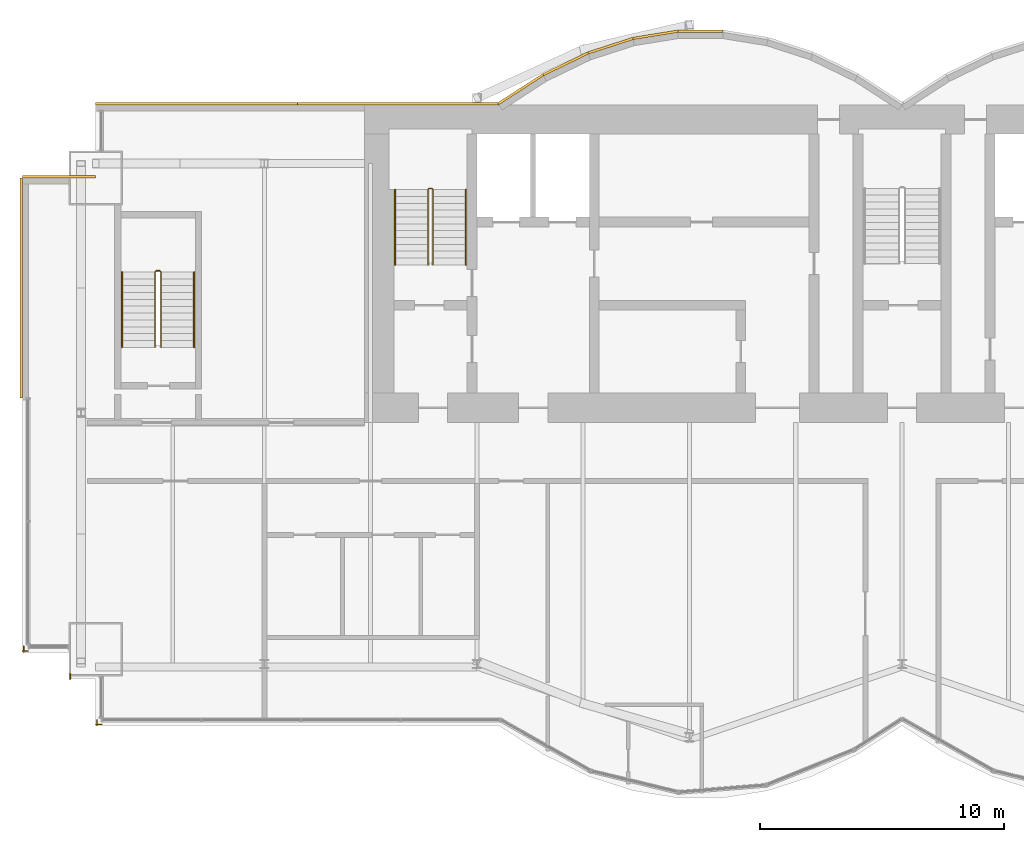
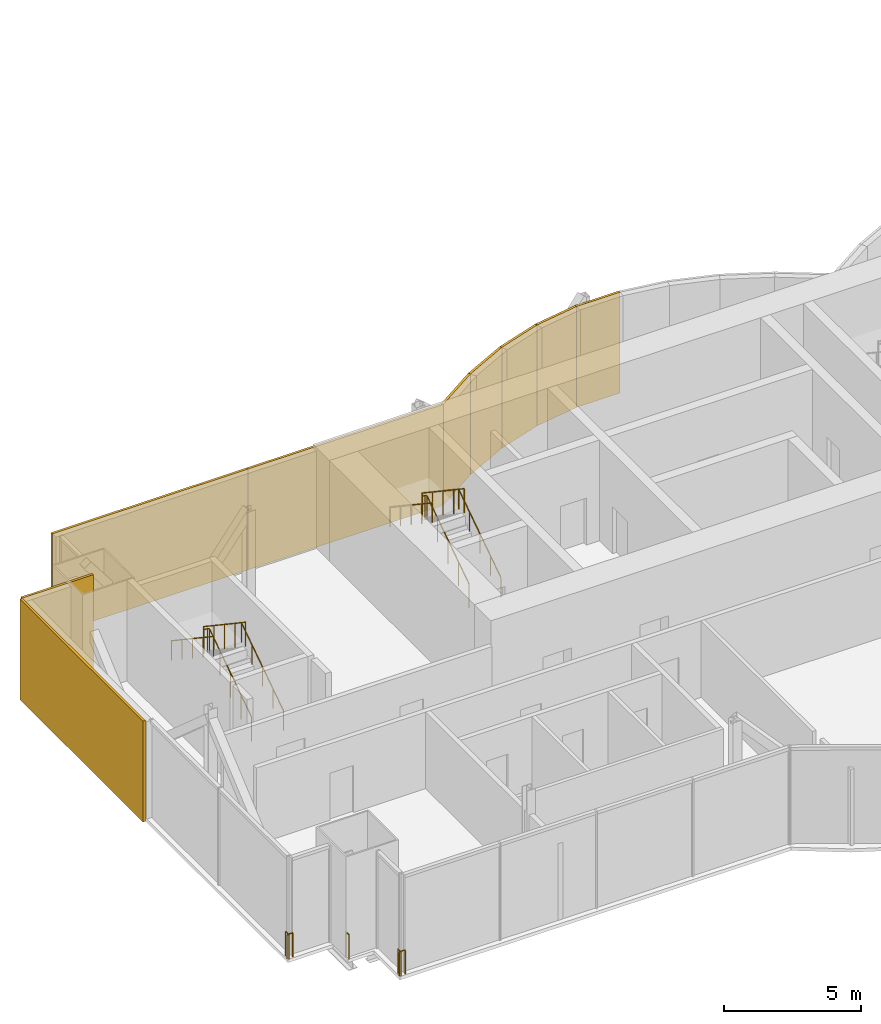
# One storey, part 14 of 16: 9 coverings, 9 railings.
"""IFC4 building model written with IfcOpenShell, lengths in metres."""

from ifc_helpers import new_model, si_unit, direction, frame, origin, origin_2d, place, context, subcontext, project, spatial, rectangle, circle, extrude, material, layer, layer_set, type_object, element, save


model = new_model("IFC4")

# Units and contexts
model_context = context("Model", 3, precision=1e-05, world=origin(), true_north=direction((0.0, 1.0)))
body_context = subcontext(model_context, "Body", "Model", "MODEL_VIEW")
ifc_project = project(units=[si_unit("LENGTHUNIT", "METRE"), si_unit("AREAUNIT", "SQUARE_METRE"), si_unit("VOLUMEUNIT", "CUBIC_METRE"), si_unit("PLANEANGLEUNIT", "RADIAN"), si_unit("MASSUNIT", "GRAM", prefix="KILO")], contexts=[model_context])

# Site, building, storey
site_placement = place(None, origin())
site = spatial("IfcSite", under=ifc_project, at=site_placement, CompositionType="ELEMENT")
building_placement = place(site_placement, origin())
building = spatial("IfcBuilding", under=site, at=building_placement, Name="Bicima Exchange Tower", CompositionType="ELEMENT")
storey_placement = place(building_placement, frame((0.0, 0.0, 329.0)))
storey = spatial("IfcBuildingStorey", under=building, at=storey_placement, Name="L74", CompositionType="ELEMENT", Elevation=329.0)

# Coverings
ifc_material_1 = material(Name="Bronze metal cladding")
ifc_layer_1 = layer(ifc_material_1, 0.004)
ifc_material_2 = material(Name="Ventilated cavity")
ifc_layer_2 = layer(ifc_material_2, 0.06)
ifc_material_3 = material(Name="Galvanised steel rail and mineral wool", Category="steel")
ifc_layer_3 = layer(ifc_material_3, 0.036)
ifc_layer_set = layer_set([ifc_layer_1, ifc_layer_2, ifc_layer_3], Name="Ventilated cavity")
covering_type = type_object("IfcCoveringType", Name="Bronze metal cladding panel 100", PredefinedType="CLADDING", material=ifc_layer_set)
covering_1_placement = place(storey_placement, frame((-8.25, 3.012939453125, -0.14990234375), z_axis=(0.0, 0.0, 1.0), x_axis=(-1.0, 0.0, 0.0)))
element("IfcCovering", 1, at=covering_1_placement, inside=storey, type_object=covering_type, Name="Bronze cladding L74 15.1", PredefinedType="CLADDING", context=body_context, shape_type="SweptSolid", body=[
    extrude(rectangle(XDim=1.83349609375, YDim=0.10009765625, at=origin_2d()), origin(), (0.0, 0.0, 1.0), 4.5),
])
covering_2_placement = place(storey_placement, frame((-10.09130859375, 2.8642578125, -0.14990234375), z_axis=(0.0, 0.0, 1.0), x_axis=(-0.987189786347, -0.159550386184, 0.0)))
element("IfcCovering", 2, at=covering_2_placement, inside=storey, type_object=covering_type, Name="Bronze cladding L74 16.1", PredefinedType="CLADDING", context=body_context, shape_type="SweptSolid", body=[
    extrude(rectangle(XDim=1.857177734375, YDim=0.10009765625, at=origin_2d()), origin(), (0.0, 0.0, 1.0), 4.5),
])
covering_3_placement = place(storey_placement, frame((-11.931884765625, 2.41796875, -0.14990234375), z_axis=(0.0, 0.0, 1.0), x_axis=(-0.951524642381, -0.307572519808, 0.0)))
element("IfcCovering", 3, at=covering_3_placement, inside=storey, type_object=covering_type, Name="Bronze cladding L74 17.1", PredefinedType="CLADDING", context=body_context, shape_type="SweptSolid", body=[
    extrude(rectangle(XDim=1.9267578125, YDim=0.10009765625, at=origin_2d()), origin(), (0.0, 0.0, 1.0), 4.5),
])
covering_4_placement = place(storey_placement, frame((-13.771728515625, 1.674560546875, -0.14990234375), z_axis=(0.0, 0.0, 1.0), x_axis=(-0.899818346812, -0.436264762204, 0.0)))
element("IfcCovering", 4, at=covering_4_placement, inside=storey, type_object=covering_type, Name="Bronze cladding L74 18.1", PredefinedType="CLADDING", context=body_context, shape_type="SweptSolid", body=[
    extrude(rectangle(XDim=2.03759765625, YDim=0.10009765625, at=origin_2d()), origin(), (0.0, 0.0, 1.0), 4.5),
])
covering_5_placement = place(storey_placement, frame((-15.610595703125, 0.634521484375, -0.14990234375), z_axis=(0.0, 0.0, 1.0), x_axis=(-0.839790466384, -0.542910648791, 0.0)))
element("IfcCovering", 5, at=covering_5_placement, inside=storey, type_object=covering_type, Name="Bronze cladding L74 19.1", PredefinedType="CLADDING", context=body_context, shape_type="SweptSolid", body=[
    extrude(rectangle(XDim=2.18310546875, YDim=0.10009765625, at=origin_2d()), origin(), (0.0, 0.0, 1.0), 4.5),
])
for number, where, z_axis, x_axis, name in (
    (6, (-20.625, 0.050048828125, -0.14990234375), (0.0, 0.0, 1.0), (-1.0, 0.0, 0.0), "Bronze cladding L74 20.1"),
    (7, (-28.875, 0.050048828125, -0.14990234375), (0.0, 0.0, 1.0), (-1.0, 0.0, 0.0), "Bronze cladding L74 20.2"),
):
    element("IfcCovering", number, at=place(storey_placement, frame(where, z_axis=z_axis, x_axis=x_axis)), inside=storey, type_object=covering_type, Name=name, PredefinedType="CLADDING", context=body_context, shape_type="SweptSolid", body=[
        extrude(rectangle(XDim=8.25, YDim=0.10009765625, at=origin_2d()), origin(), (0.0, 0.0, 1.0), 4.5),
    ])
covering_6_placement = place(storey_placement, frame((-34.5, -2.949951171875, -0.14990234375), z_axis=(0.0, 0.0, 1.0), x_axis=(-1.0, 0.0, 0.0)))
element("IfcCovering", 8, at=covering_6_placement, inside=storey, type_object=covering_type, Name="Bronze cladding L74 22.1", PredefinedType="CLADDING", context=body_context, shape_type="SweptSolid", body=[
    extrude(rectangle(XDim=3.0, YDim=0.10009765625, at=origin_2d()), origin(), (0.0, 0.0, 1.0), 4.5),
])
covering_7_placement = place(storey_placement, frame((-36.050048828125, -7.5, -0.14990234375), z_axis=(0.0, 0.0, 1.0), x_axis=(0.0, -1.0, 0.0)))
element("IfcCovering", 9, at=covering_7_placement, inside=storey, type_object=covering_type, Name="Bronze cladding L74 23.1", PredefinedType="CLADDING", context=body_context, shape_type="SweptSolid", body=[
    extrude(rectangle(XDim=9.0, YDim=0.10009765625, at=origin_2d()), origin(), (0.0, 0.0, 1.0), 4.5),
])

# Railings
ifc_material_4 = material(Name="Stainless steel and bonded safety glass", Category="steel")
railing_type_1 = type_object("IfcRailingType", Name="Edge guard 1100", PredefinedType="GUARDRAIL", material=ifc_material_4)
railing_1_placement = place(storey_placement, frame((-35.762939453125, -22.35791015625, 0.0)))
element("IfcRailing", 10, at=railing_1_placement, inside=storey, type_object=railing_type_1, Name="Edge guard L74 385", PredefinedType="GUARDRAIL", context=body_context, shape_type="SweptSolid", body=[
    extrude(circle(Radius=0.02392578125, at=origin_2d()), frame((0.0, 0.0, 1.076171875), z_axis=(-1.0, 0.0, 0.0), x_axis=(0.0, -1.0, 0.0)), (0.0, 0.0, 1.0), 0.237060546875),
    extrude(circle(Radius=0.02392578125, at=origin_2d()), frame((-0.237060546875, 0.0, 1.076171875), z_axis=(0.707106781187, -0.707106781187, 0.0), x_axis=(0.707106781187, 0.707106781187, 0.0)), (0.0, 0.0, 1.0), 0.07080078125),
    extrude(circle(Radius=0.02392578125, at=origin_2d()), frame((-0.18701171875, -0.050048828125, 1.076171875), z_axis=(0.0, 1.0, 0.0), x_axis=(-1.0, 0.0, 0.0)), (0.0, 0.0, 1.0), 0.2490234375),
    extrude(circle(Radius=0.02099609375, at=origin_2d()), origin(), (0.0, 0.0, 1.0), 1.052001953125),
    extrude(circle(Radius=0.02099609375, at=origin_2d()), frame((-0.237060546875, 0.0, 0.0)), (0.0, 0.0, 1.0), 1.052001953125),
    extrude(circle(Radius=0.02099609375, at=origin_2d()), frame((-0.18701171875, -0.050048828125, 0.0)), (0.0, 0.0, 1.0), 1.052001953125),
    extrude(circle(Radius=0.02099609375, at=origin_2d()), frame((-0.18701171875, 0.198974609375, 0.0)), (0.0, 0.0, 1.0), 1.052001953125),
])
railing_2_placement = place(storey_placement, frame((-32.75, -25.35791015625, 0.0)))
element("IfcRailing", 11, at=railing_2_placement, inside=storey, type_object=railing_type_1, Name="Edge guard L74 389", PredefinedType="GUARDRAIL", context=body_context, shape_type="SweptSolid", body=[
    extrude(circle(Radius=0.02392578125, at=origin_2d()), frame((0.0, 0.0, 1.076171875), z_axis=(-1.0, 0.0, 0.0), x_axis=(0.0, -1.0, 0.0)), (0.0, 0.0, 1.0), 0.25),
    extrude(circle(Radius=0.02392578125, at=origin_2d()), frame((-0.25, 0.0, 1.076171875), z_axis=(0.707106781187, -0.707106781187, 0.0), x_axis=(0.707106781187, 0.707106781187, 0.0)), (0.0, 0.0, 1.0), 0.07080078125),
    extrude(circle(Radius=0.02392578125, at=origin_2d()), frame((-0.199951171875, -0.050048828125, 1.076171875), z_axis=(0.0, 1.0, 0.0), x_axis=(-1.0, 0.0, 0.0)), (0.0, 0.0, 1.0), 0.237060546875),
    extrude(circle(Radius=0.02099609375, at=origin_2d()), origin(), (0.0, 0.0, 1.0), 1.052001953125),
    extrude(circle(Radius=0.02099609375, at=origin_2d()), frame((-0.25, 0.0, 0.0)), (0.0, 0.0, 1.0), 1.052001953125),
    extrude(circle(Radius=0.02099609375, at=origin_2d()), frame((-0.199951171875, -0.050048828125, 0.0)), (0.0, 0.0, 1.0), 1.052001953125),
    extrude(circle(Radius=0.02099609375, at=origin_2d()), frame((-0.199951171875, 0.18701171875, 0.0)), (0.0, 0.0, 1.0), 1.052001953125),
])
railing_3_placement = place(storey_placement, frame((-34.050048828125, -23.508056640625, 0.0)))
element("IfcRailing", 12, at=railing_3_placement, inside=storey, type_object=railing_type_1, Name="Edge guard L74 390", PredefinedType="GUARDRAIL", context=body_context, shape_type="SweptSolid", body=[
    extrude(circle(Radius=0.02392578125, at=origin_2d()), frame((0.0, 0.0, 1.076171875), z_axis=(0.0, 1.0, 0.0), x_axis=(-1.0, 0.0, 0.0)), (0.0, 0.0, 1.0), 0.219970703125),
    extrude(circle(Radius=0.02099609375, at=origin_2d()), origin(), (0.0, 0.0, 1.0), 1.052001953125),
    extrude(circle(Radius=0.02099609375, at=origin_2d()), frame((0.0, 0.219970703125, 0.0)), (0.0, 0.0, 1.0), 1.052001953125),
])
ifc_material_5 = material(Name="Stainless steel", Category="steel")
railing_type_2 = type_object("IfcRailingType", Name="Stair guard 1100", PredefinedType="GUARDRAIL", material=ifc_material_5)
railing_4_placement = place(storey_placement, frame((-19.199951171875, -6.550048828125, 0.1875)))
element("IfcRailing", 13, at=railing_4_placement, inside=storey, type_object=railing_type_2, Name="L74 ST-W stair guard 1", PredefinedType="GUARDRAIL", context=body_context, shape_type="SweptSolid", body=[
    extrude(circle(Radius=0.02392578125, at=origin_2d()), frame((0.0, 0.0, 1.076171875), z_axis=(0.0, 0.830913701846, 0.55640131208), x_axis=(-1.0, 0.0, 0.0)), (0.0, 0.0, 1.0), 3.706787109375),
    extrude(circle(Radius=0.02392578125, at=origin_2d()), frame((0.0, 3.080078125, 3.138671875), z_axis=(-0.707106781187, 0.707106781187, 0.0), x_axis=(-0.707106781187, -0.707106781187, 0.0)), (0.0, 0.0, 1.0), 0.07080078125),
    extrude(circle(Radius=0.02392578125, at=origin_2d()), frame((-0.050048828125, 3.130126953125, 3.138671875), z_axis=(-1.0, 0.0, 0.0), x_axis=(0.0, -1.0, 0.0)), (0.0, 0.0, 1.0), 0.10009765625),
    extrude(circle(Radius=0.02392578125, at=origin_2d()), frame((-0.150146484375, 3.130126953125, 3.138671875), z_axis=(-0.248583702486, -0.249802250048, 0.935844527007), x_axis=(0.708833529934, -0.705375805398, 0.0)), (0.0, 0.0, 1.0), 0.200439453125),
    extrude(circle(Radius=0.02392578125, at=origin_2d()), frame((-0.199951171875, 3.080078125, 3.326171875), z_axis=(0.0, -0.830913701846, 0.55640131208), x_axis=(1.0, 0.0, 0.0)), (0.0, 0.0, 1.0), 3.706787109375),
    extrude(circle(Radius=0.02099609375, at=origin_2d()), origin(), (0.0, 0.0, 1.0), 1.052001953125),
    extrude(circle(Radius=0.02099609375, at=origin_2d()), frame((0.0, 0.77001953125, 0.515625)), (0.0, 0.0, 1.0), 1.052001953125),
    extrude(circle(Radius=0.02099609375, at=origin_2d()), frame((0.0, 1.5400390625, 1.03125)), (0.0, 0.0, 1.0), 1.052001953125),
    extrude(circle(Radius=0.02099609375, at=origin_2d()), frame((0.0, 2.31005859375, 1.546875)), (0.0, 0.0, 1.0), 1.052001953125),
    extrude(circle(Radius=0.02099609375, at=origin_2d()), frame((0.0, 3.080078125, 2.0625)), (0.0, 0.0, 1.0), 1.052001953125),
    extrude(circle(Radius=0.02099609375, at=origin_2d()), frame((-0.050048828125, 3.130126953125, 2.0625)), (0.0, 0.0, 1.0), 1.052001953125),
    extrude(circle(Radius=0.02099609375, at=origin_2d()), frame((-0.150146484375, 3.130126953125, 2.0625)), (0.0, 0.0, 1.0), 1.052001953125),
    extrude(circle(Radius=0.02099609375, at=origin_2d()), frame((-0.199951171875, 3.080078125, 2.25)), (0.0, 0.0, 1.0), 1.052001953125),
    extrude(circle(Radius=0.02099609375, at=origin_2d()), frame((-0.199951171875, 2.31005859375, 2.765625)), (0.0, 0.0, 1.0), 1.052001953125),
    extrude(circle(Radius=0.02099609375, at=origin_2d()), frame((-0.199951171875, 1.5400390625, 3.28125)), (0.0, 0.0, 1.0), 1.052001953125),
    extrude(circle(Radius=0.02099609375, at=origin_2d()), frame((-0.199951171875, 0.77001953125, 3.796875)), (0.0, 0.0, 1.0), 1.052001953125),
    extrude(circle(Radius=0.02099609375, at=origin_2d()), frame((-0.199951171875, 0.0, 4.3125)), (0.0, 0.0, 1.0), 1.052001953125),
])
railing_5_placement = place(storey_placement, frame((-30.324951171875, -9.925048828125, 0.1875)))
element("IfcRailing", 14, at=railing_5_placement, inside=storey, type_object=railing_type_2, Name="L74 ST-WW stair guard 1", PredefinedType="GUARDRAIL", context=body_context, shape_type="SweptSolid", body=[
    extrude(circle(Radius=0.02392578125, at=origin_2d()), frame((0.0, 0.0, 1.076171875), z_axis=(0.0, 0.830913701846, 0.55640131208), x_axis=(-1.0, 0.0, 0.0)), (0.0, 0.0, 1.0), 3.706787109375),
    extrude(circle(Radius=0.02392578125, at=origin_2d()), frame((0.0, 3.080078125, 3.138671875), z_axis=(-0.707106781187, 0.707106781187, 0.0), x_axis=(-0.707106781187, -0.707106781187, 0.0)), (0.0, 0.0, 1.0), 0.07080078125),
    extrude(circle(Radius=0.02392578125, at=origin_2d()), frame((-0.050048828125, 3.130126953125, 3.138671875), z_axis=(-1.0, 0.0, 0.0), x_axis=(0.0, -1.0, 0.0)), (0.0, 0.0, 1.0), 0.14990234375),
    extrude(circle(Radius=0.02392578125, at=origin_2d()), frame((-0.199951171875, 3.130126953125, 3.138671875), z_axis=(-0.249726431254, -0.249726431254, 0.935560483917), x_axis=(0.707106781187, -0.707106781187, 0.0)), (0.0, 0.0, 1.0), 0.200439453125),
    extrude(circle(Radius=0.02392578125, at=origin_2d()), frame((-0.25, 3.080078125, 3.326171875), z_axis=(0.0, -0.830913701846, 0.55640131208), x_axis=(1.0, 0.0, 0.0)), (0.0, 0.0, 1.0), 3.706787109375),
    extrude(circle(Radius=0.02099609375, at=origin_2d()), origin(), (0.0, 0.0, 1.0), 1.052001953125),
    extrude(circle(Radius=0.02099609375, at=origin_2d()), frame((0.0, 0.77001953125, 0.515625)), (0.0, 0.0, 1.0), 1.052001953125),
    extrude(circle(Radius=0.02099609375, at=origin_2d()), frame((0.0, 1.5400390625, 1.03125)), (0.0, 0.0, 1.0), 1.052001953125),
    extrude(circle(Radius=0.02099609375, at=origin_2d()), frame((0.0, 2.31005859375, 1.546875)), (0.0, 0.0, 1.0), 1.052001953125),
    extrude(circle(Radius=0.02099609375, at=origin_2d()), frame((0.0, 3.080078125, 2.0625)), (0.0, 0.0, 1.0), 1.052001953125),
    extrude(circle(Radius=0.02099609375, at=origin_2d()), frame((-0.050048828125, 3.130126953125, 2.0625)), (0.0, 0.0, 1.0), 1.052001953125),
    extrude(circle(Radius=0.02099609375, at=origin_2d()), frame((-0.199951171875, 3.130126953125, 2.0625)), (0.0, 0.0, 1.0), 1.052001953125),
    extrude(circle(Radius=0.02099609375, at=origin_2d()), frame((-0.25, 3.080078125, 2.25)), (0.0, 0.0, 1.0), 1.052001953125),
    extrude(circle(Radius=0.02099609375, at=origin_2d()), frame((-0.25, 2.31005859375, 2.765625)), (0.0, 0.0, 1.0), 1.052001953125),
    extrude(circle(Radius=0.02099609375, at=origin_2d()), frame((-0.25, 1.5400390625, 3.28125)), (0.0, 0.0, 1.0), 1.052001953125),
    extrude(circle(Radius=0.02099609375, at=origin_2d()), frame((-0.25, 0.77001953125, 3.796875)), (0.0, 0.0, 1.0), 1.052001953125),
    extrude(circle(Radius=0.02099609375, at=origin_2d()), frame((-0.25, 0.0, 4.3125)), (0.0, 0.0, 1.0), 1.052001953125),
])
railing_type_3 = type_object("IfcRailingType", Name="Stair handrail 900", PredefinedType="HANDRAIL", material=ifc_material_5)
railing_6_placement = place(storey_placement, frame((-17.85009765625, -6.550048828125, 0.1875)))
element("IfcRailing", 15, at=railing_6_placement, inside=storey, type_object=railing_type_3, Name="L74 ST-W stair handrail 1", PredefinedType="HANDRAIL", context=body_context, shape_type="SweptSolid", body=[
    extrude(circle(Radius=0.02392578125, at=origin_2d()), frame((0.0, 0.0, 0.8759765625), z_axis=(0.0, 0.830913701846, 0.55640131208), x_axis=(-1.0, 0.0, 0.0)), (0.0, 0.0, 1.0), 3.706787109375),
    extrude(circle(Radius=0.02099609375, at=origin_2d()), origin(), (0.0, 0.0, 1.0), 0.851806640625),
    extrude(circle(Radius=0.02099609375, at=origin_2d()), frame((0.0, 0.77001953125, 0.515625)), (0.0, 0.0, 1.0), 0.851806640625),
    extrude(circle(Radius=0.02099609375, at=origin_2d()), frame((0.0, 1.5400390625, 1.03125)), (0.0, 0.0, 1.0), 0.851806640625),
    extrude(circle(Radius=0.02099609375, at=origin_2d()), frame((0.0, 2.31005859375, 1.546875)), (0.0, 0.0, 1.0), 0.851806640625),
    extrude(circle(Radius=0.02099609375, at=origin_2d()), frame((0.0, 3.080078125, 2.0625)), (0.0, 0.0, 1.0), 0.851806640625),
])
railing_7_placement = place(storey_placement, frame((-20.75, -3.469970703125, 2.47900390625)))
element("IfcRailing", 16, at=railing_7_placement, inside=storey, type_object=railing_type_3, Name="L74 ST-W stair handrail 2", PredefinedType="HANDRAIL", context=body_context, shape_type="SweptSolid", body=[
    extrude(circle(Radius=0.02392578125, at=origin_2d()), frame((0.0, 0.0, 0.8759765625), z_axis=(0.0, -0.830913701846, 0.55640131208), x_axis=(1.0, 0.0, 0.0)), (0.0, 0.0, 1.0), 3.706787109375),
    extrude(circle(Radius=0.02099609375, at=origin_2d()), origin(), (0.0, 0.0, 1.0), 0.851806640625),
    extrude(circle(Radius=0.02099609375, at=origin_2d()), frame((0.0, -0.77001953125, 0.515625)), (0.0, 0.0, 1.0), 0.851806640625),
    extrude(circle(Radius=0.02099609375, at=origin_2d()), frame((0.0, -1.5400390625, 1.03125)), (0.0, 0.0, 1.0), 0.851806640625),
    extrude(circle(Radius=0.02099609375, at=origin_2d()), frame((0.0, -2.31005859375, 1.546875)), (0.0, 0.0, 1.0), 0.851806640625),
    extrude(circle(Radius=0.02099609375, at=origin_2d()), frame((0.0, -3.080078125, 2.0625)), (0.0, 0.0, 1.0), 0.851806640625),
])
railing_8_placement = place(storey_placement, frame((-28.97509765625, -9.925048828125, 0.1875)))
element("IfcRailing", 17, at=railing_8_placement, inside=storey, type_object=railing_type_3, Name="L74 ST-WW stair handrail 1", PredefinedType="HANDRAIL", context=body_context, shape_type="SweptSolid", body=[
    extrude(circle(Radius=0.02392578125, at=origin_2d()), frame((0.0, 0.0, 0.8759765625), z_axis=(0.0, 0.830913701846, 0.55640131208), x_axis=(-1.0, 0.0, 0.0)), (0.0, 0.0, 1.0), 3.706787109375),
    extrude(circle(Radius=0.02099609375, at=origin_2d()), origin(), (0.0, 0.0, 1.0), 0.851806640625),
    extrude(circle(Radius=0.02099609375, at=origin_2d()), frame((0.0, 0.77001953125, 0.515625)), (0.0, 0.0, 1.0), 0.851806640625),
    extrude(circle(Radius=0.02099609375, at=origin_2d()), frame((0.0, 1.5400390625, 1.03125)), (0.0, 0.0, 1.0), 0.851806640625),
    extrude(circle(Radius=0.02099609375, at=origin_2d()), frame((0.0, 2.31005859375, 1.546875)), (0.0, 0.0, 1.0), 0.851806640625),
    extrude(circle(Radius=0.02099609375, at=origin_2d()), frame((0.0, 3.080078125, 2.0625)), (0.0, 0.0, 1.0), 0.851806640625),
])
railing_9_placement = place(storey_placement, frame((-31.925048828125, -6.844970703125, 2.47900390625)))
element("IfcRailing", 18, at=railing_9_placement, inside=storey, type_object=railing_type_3, Name="L74 ST-WW stair handrail 2", PredefinedType="HANDRAIL", context=body_context, shape_type="SweptSolid", body=[
    extrude(circle(Radius=0.02392578125, at=origin_2d()), frame((0.0, 0.0, 0.8759765625), z_axis=(0.0, -0.830913701846, 0.55640131208), x_axis=(1.0, 0.0, 0.0)), (0.0, 0.0, 1.0), 3.706787109375),
    extrude(circle(Radius=0.02099609375, at=origin_2d()), origin(), (0.0, 0.0, 1.0), 0.851806640625),
    extrude(circle(Radius=0.02099609375, at=origin_2d()), frame((0.0, -0.77001953125, 0.515625)), (0.0, 0.0, 1.0), 0.851806640625),
    extrude(circle(Radius=0.02099609375, at=origin_2d()), frame((0.0, -1.5400390625, 1.03125)), (0.0, 0.0, 1.0), 0.851806640625),
    extrude(circle(Radius=0.02099609375, at=origin_2d()), frame((0.0, -2.31005859375, 1.546875)), (0.0, 0.0, 1.0), 0.851806640625),
    extrude(circle(Radius=0.02099609375, at=origin_2d()), frame((0.0, -3.080078125, 2.0625)), (0.0, 0.0, 1.0), 0.851806640625),
])

save(model, "model.ifc")
